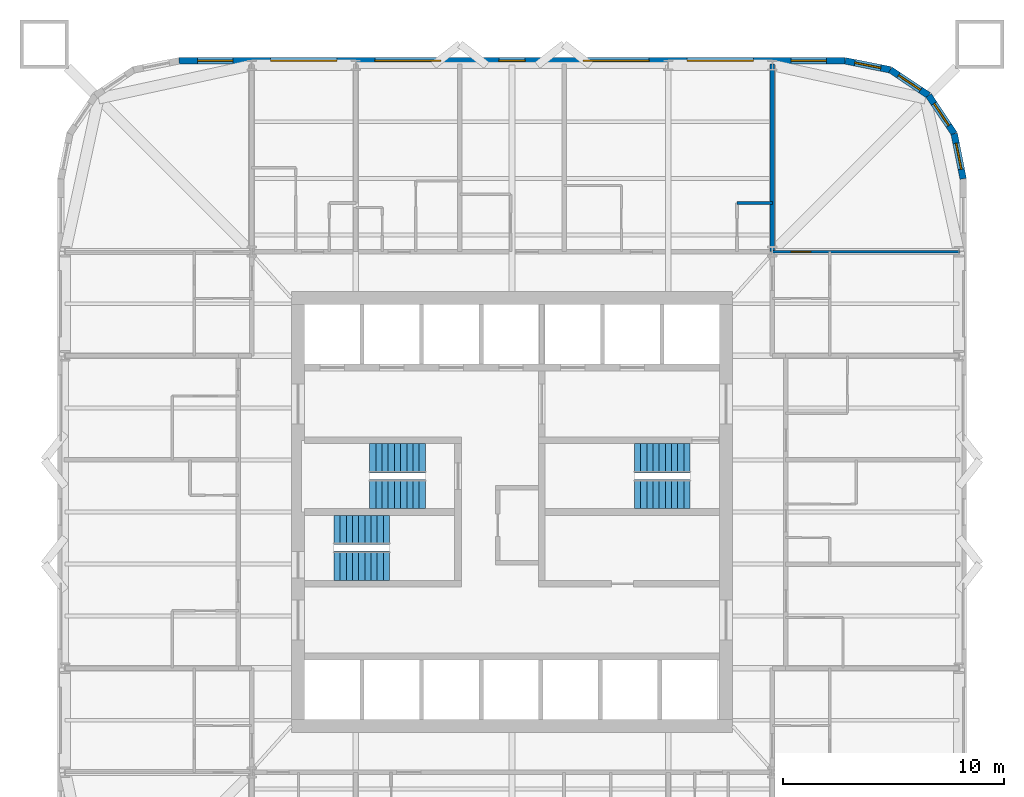
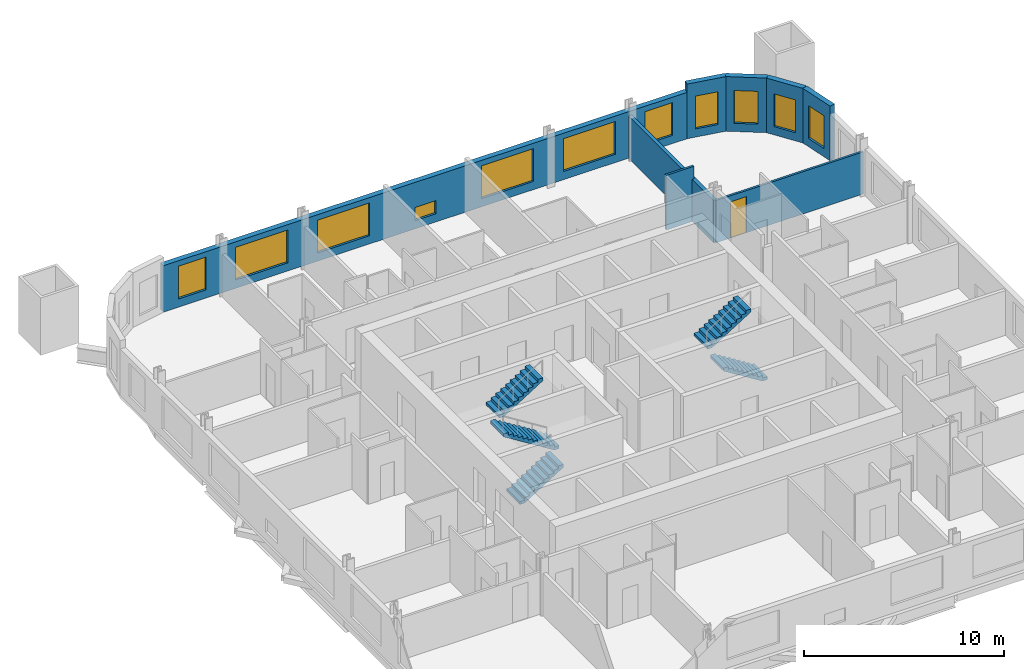
# One storey, part 8 of 9: 11 windows, 8 walls, 6 stair flights, 1 door, 12 openings, 3 elements without a shape of their own.
"""IFC4 building model written with IfcOpenShell, lengths in metres."""

from ifc_helpers import new_model, si_unit, direction, frame, frame_2d, origin, place, context, subcontext, project, spatial, polyline, rectangle, outline, extrude, material, layer, layer_set, type_object, element, fill, aggregate, save


model = new_model("IFC4")

# Units and contexts
model_context = context("Model", 3, precision=1e-05, world=origin(), true_north=direction((0.0, 1.0)))
body_context = subcontext(model_context, "Body", "Model", "MODEL_VIEW")
ifc_project = project(units=[si_unit("LENGTHUNIT", "METRE"), si_unit("AREAUNIT", "SQUARE_METRE"), si_unit("VOLUMEUNIT", "CUBIC_METRE"), si_unit("PLANEANGLEUNIT", "RADIAN"), si_unit("MASSUNIT", "GRAM", prefix="KILO")], contexts=[model_context])

# Site, building, storey
site_placement = place(None, origin())
site = spatial("IfcSite", under=ifc_project, at=site_placement, CompositionType="ELEMENT")
building_placement = place(site_placement, origin())
building = spatial("IfcBuilding", under=site, at=building_placement, Name="Turquesa Mirador Hotel Tower", CompositionType="ELEMENT")
storey_placement = place(building_placement, frame((0.0, 0.0, 121.39990234375)))
storey = spatial("IfcBuildingStorey", under=building, at=storey_placement, Name="L32", CompositionType="ELEMENT", Elevation=121.39990234375)

# Wall, opening, window
ifc_material_1 = material(Name="Limestone cladding on concrete block", Category="masonry")
ifc_layer_1 = layer(ifc_material_1, 0.300048828125)
ifc_layer_set_1 = layer_set([ifc_layer_1], Name="FACADE WALL 300 STONE SCREEN")
wall_type_1 = type_object("IfcWallType", Name="FACADE WALL 300 STONE SCREEN", PredefinedType="SOLIDWALL", material=ifc_layer_set_1)
wall_1_placement = place(storey_placement, frame((75.449951171875, 60.10009765625, 0.0), z_axis=(0.0, 0.0, 1.0), x_axis=(-0.195081421501, 0.980787050784, 0.0)))
wall_1 = element("IfcWall", 1, at=wall_1_placement, inside=storey, type_object=wall_type_1, Name="Facade wall L32 05", PredefinedType="SOLIDWALL", context=body_context, shape_type="SweptSolid", body=[
    extrude(rectangle(XDim=2.08740234375, YDim=0.300048828125, at=frame_2d((1.043701171875, 0.0))), origin(), (0.0, 0.0, 1.0), 3.330078125),
])
opening_1_placement = place(wall_1_placement, frame((0.443603515625, 0.0, 0.5)))
opening_1 = element("IfcOpeningElement", 2, at=opening_1_placement, cuts=wall_1, Name="Opening WN4", PredefinedType="OPENING", context=body_context, shape_type="SweptSolid", body=[
    extrude(rectangle(XDim=1.199951171875, YDim=2.0, at=frame_2d((0.60009765625, 1.0))), frame((0.0, 0.159912109375, 0.0), z_axis=(0.0, -1.0, 0.0), x_axis=(1.0, 0.0, 0.0)), (0.0, 0.0, 1.0), 0.320068359375),
])
ifc_material_2 = material(Name="Ceramic-fritted laminated glass", Category="glass")
window_type_1 = type_object("IfcWindowType", Name="FRITTED CORNER WINDOW 1200X2000", PartitioningType="DOUBLE_PANEL_HORIZONTAL", PredefinedType="WINDOW", material=ifc_material_2)
window_1_placement = place(opening_1_placement, origin())
window_1 = element("IfcWindow", 3, at=window_1_placement, inside=storey, type_object=window_type_1, Name="Window L32", OverallHeight=2.0, OverallWidth=1.199951171875, PartitioningType="SINGLE_PANEL", PredefinedType="WINDOW", context=body_context, shape_type="SweptSolid", body=[
    extrude(rectangle(XDim=1.199951171875, YDim=2.0, at=frame_2d((0.60009765625, 1.0))), frame((0.0, 0.030029296875, 0.0), z_axis=(0.0, -1.0, 0.0), x_axis=(1.0, 0.0, 0.0)), (0.0, 0.0, 1.0), 0.06005859375),
])
fill(opening_1, window_1)

wall_2_placement = place(storey_placement, frame((75.042724609375, 62.1474609375, 0.0), z_axis=(0.0, 0.0, 1.0), x_axis=(-0.555563607591, 0.831474039234, 0.0)))
wall_2 = element("IfcWall", 4, at=wall_2_placement, inside=storey, type_object=wall_type_1, Name="Facade wall L32 06", PredefinedType="SOLIDWALL", context=body_context, shape_type="SweptSolid", body=[
    extrude(rectangle(XDim=2.08740234375, YDim=0.300048828125, at=frame_2d((1.043701171875, 0.0))), origin(), (0.0, 0.0, 1.0), 3.330078125),
])
opening_2_placement = place(wall_2_placement, frame((0.443603515625, 0.0, 0.5)))
opening_2 = element("IfcOpeningElement", 5, at=opening_2_placement, cuts=wall_2, Name="Opening WN4", PredefinedType="OPENING", context=body_context, shape_type="SweptSolid", body=[
    extrude(rectangle(XDim=1.199951171875, YDim=2.0, at=frame_2d((0.60009765625, 1.0))), frame((0.0, 0.159912109375, 0.0), z_axis=(0.0, -1.0, 0.0), x_axis=(1.0, 0.0, 0.0)), (0.0, 0.0, 1.0), 0.320068359375),
])
window_2_placement = place(opening_2_placement, origin())
window_2 = element("IfcWindow", 6, at=window_2_placement, inside=storey, type_object=window_type_1, Name="Window L32", OverallHeight=2.0, OverallWidth=1.199951171875, PartitioningType="SINGLE_PANEL", PredefinedType="WINDOW", context=body_context, shape_type="SweptSolid", body=[
    extrude(rectangle(XDim=1.199951171875, YDim=2.0, at=frame_2d((0.60009765625, 1.0))), frame((0.0, 0.030029296875, 0.0), z_axis=(0.0, -1.0, 0.0), x_axis=(1.0, 0.0, 0.0)), (0.0, 0.0, 1.0), 0.06005859375),
])
fill(opening_2, window_2)

wall_3_placement = place(storey_placement, frame((73.883056640625, 63.883056640625, 0.0), z_axis=(0.0, 0.0, 1.0), x_axis=(-0.831474039234, 0.555563607591, 0.0)))
wall_3 = element("IfcWall", 7, at=wall_3_placement, inside=storey, type_object=wall_type_1, Name="Facade wall L32 07", PredefinedType="SOLIDWALL", context=body_context, shape_type="SweptSolid", body=[
    extrude(rectangle(XDim=2.08740234375, YDim=0.300048828125, at=frame_2d((1.043701171875, 0.0))), origin(), (0.0, 0.0, 1.0), 3.330078125),
])
opening_3_placement = place(wall_3_placement, frame((0.443603515625, 0.0, 0.5)))
opening_3 = element("IfcOpeningElement", 8, at=opening_3_placement, cuts=wall_3, Name="Opening WN4", PredefinedType="OPENING", context=body_context, shape_type="SweptSolid", body=[
    extrude(rectangle(XDim=1.199951171875, YDim=2.0, at=frame_2d((0.60009765625, 1.0))), frame((0.0, 0.159912109375, 0.0), z_axis=(0.0, -1.0, 0.0), x_axis=(1.0, 0.0, 0.0)), (0.0, 0.0, 1.0), 0.320068359375),
])
window_3_placement = place(opening_3_placement, origin())
window_3 = element("IfcWindow", 9, at=window_3_placement, inside=storey, type_object=window_type_1, Name="Window L32", OverallHeight=2.0, OverallWidth=1.199951171875, PartitioningType="SINGLE_PANEL", PredefinedType="WINDOW", context=body_context, shape_type="SweptSolid", body=[
    extrude(rectangle(XDim=1.199951171875, YDim=2.0, at=frame_2d((0.60009765625, 1.0))), frame((0.0, 0.030029296875, 0.0), z_axis=(0.0, -1.0, 0.0), x_axis=(1.0, 0.0, 0.0)), (0.0, 0.0, 1.0), 0.06005859375),
])
fill(opening_3, window_3)

wall_4_placement = place(storey_placement, frame((72.1474609375, 65.042724609375, 0.0), z_axis=(0.0, 0.0, 1.0), x_axis=(-0.980787050784, 0.195081421501, 0.0)))
wall_4 = element("IfcWall", 10, at=wall_4_placement, inside=storey, type_object=wall_type_1, Name="Facade wall L32 08", PredefinedType="SOLIDWALL", context=body_context, shape_type="SweptSolid", body=[
    extrude(rectangle(XDim=2.08740234375, YDim=0.300048828125, at=frame_2d((1.043701171875, 0.0))), origin(), (0.0, 0.0, 1.0), 3.330078125),
])
opening_4_placement = place(wall_4_placement, frame((0.443603515625, 0.0, 0.5)))
opening_4 = element("IfcOpeningElement", 11, at=opening_4_placement, cuts=wall_4, Name="Opening WN4", PredefinedType="OPENING", context=body_context, shape_type="SweptSolid", body=[
    extrude(rectangle(XDim=1.199951171875, YDim=2.0, at=frame_2d((0.60009765625, 1.0))), frame((0.0, 0.159912109375, 0.0), z_axis=(0.0, -1.0, 0.0), x_axis=(1.0, 0.0, 0.0)), (0.0, 0.0, 1.0), 0.320068359375),
])
window_4_placement = place(opening_4_placement, origin())
window_4 = element("IfcWindow", 12, at=window_4_placement, inside=storey, type_object=window_type_1, Name="Window L32", OverallHeight=2.0, OverallWidth=1.199951171875, PartitioningType="SINGLE_PANEL", PredefinedType="WINDOW", context=body_context, shape_type="SweptSolid", body=[
    extrude(rectangle(XDim=1.199951171875, YDim=2.0, at=frame_2d((0.60009765625, 1.0))), frame((0.0, 0.030029296875, 0.0), z_axis=(0.0, -1.0, 0.0), x_axis=(1.0, 0.0, 0.0)), (0.0, 0.0, 1.0), 0.06005859375),
])
fill(opening_4, window_4)

# Wall, openings, windows
wall_5_placement = place(storey_placement, frame((70.10009765625, 65.449951171875, 0.0), z_axis=(0.0, 0.0, 1.0), x_axis=(-1.0, 0.0, 0.0)))
wall_5 = element("IfcWall", 13, at=wall_5_placement, inside=storey, type_object=wall_type_1, Name="Facade wall L32 09", PredefinedType="SOLIDWALL", context=body_context, shape_type="SweptSolid", body=[
    extrude(rectangle(XDim=30.2001953125, YDim=0.300048828125, at=frame_2d((15.10009765625, 0.0))), origin(), (0.0, 0.0, 1.0), 2.830078125),
])
opening_5_placement = place(wall_5_placement, frame((0.85009765625, 0.0, 0.5)))
opening_5 = element("IfcOpeningElement", 14, at=opening_5_placement, cuts=wall_5, Name="Opening WN3", PredefinedType="OPENING", context=body_context, shape_type="SweptSolid", body=[
    extrude(rectangle(XDim=1.60009765625, YDim=2.0, at=frame_2d((0.800048828125, 1.0))), frame((0.0, 0.159912109375, 0.0), z_axis=(0.0, -1.0, 0.0), x_axis=(1.0, 0.0, 0.0)), (0.0, 0.0, 1.0), 0.320068359375),
])
opening_6_placement = place(wall_5_placement, frame((4.159912109375, 0.0, 0.5)))
opening_6 = element("IfcOpeningElement", 15, at=opening_6_placement, cuts=wall_5, Name="Opening WN1", PredefinedType="OPENING", context=body_context, shape_type="SweptSolid", body=[
    extrude(rectangle(XDim=3.0, YDim=2.0, at=frame_2d((1.5, 1.0))), frame((0.0, 0.159912109375, 0.0), z_axis=(0.0, -1.0, 0.0), x_axis=(1.0, 0.0, 0.0)), (0.0, 0.0, 1.0), 0.320068359375),
])
opening_7_placement = place(wall_5_placement, frame((8.8798828125, 0.0, 0.5)))
opening_7 = element("IfcOpeningElement", 16, at=opening_7_placement, cuts=wall_5, Name="Opening WN1", PredefinedType="OPENING", context=body_context, shape_type="SweptSolid", body=[
    extrude(rectangle(XDim=3.0, YDim=2.0, at=frame_2d((1.5, 1.0))), frame((0.0, 0.159912109375, 0.0), z_axis=(0.0, -1.0, 0.0), x_axis=(1.0, 0.0, 0.0)), (0.0, 0.0, 1.0), 0.320068359375),
])
opening_8_placement = place(wall_5_placement, frame((14.5, 0.0, 0.5)))
opening_8 = element("IfcOpeningElement", 17, at=opening_8_placement, cuts=wall_5, Name="Opening WN39", PredefinedType="OPENING", context=body_context, shape_type="SweptSolid", body=[
    extrude(rectangle(XDim=1.199951171875, YDim=0.800048828125, at=frame_2d((0.60009765625, 0.39990234375))), frame((0.0, 0.159912109375, 0.0), z_axis=(0.0, -1.0, 0.0), x_axis=(1.0, 0.0, 0.0)), (0.0, 0.0, 1.0), 0.320068359375),
])
opening_9_placement = place(wall_5_placement, frame((18.320068359375, 0.0, 0.5)))
opening_9 = element("IfcOpeningElement", 18, at=opening_9_placement, cuts=wall_5, Name="Opening WN1", PredefinedType="OPENING", context=body_context, shape_type="SweptSolid", body=[
    extrude(rectangle(XDim=3.0, YDim=2.0, at=frame_2d((1.5, 1.0))), frame((0.0, 0.159912109375, 0.0), z_axis=(0.0, -1.0, 0.0), x_axis=(1.0, 0.0, 0.0)), (0.0, 0.0, 1.0), 0.320068359375),
])
opening_10_placement = place(wall_5_placement, frame((23.0400390625, 0.0, 0.5)))
opening_10 = element("IfcOpeningElement", 19, at=opening_10_placement, cuts=wall_5, Name="Opening WN1", PredefinedType="OPENING", context=body_context, shape_type="SweptSolid", body=[
    extrude(rectangle(XDim=3.0, YDim=2.0, at=frame_2d((1.5, 1.0))), frame((0.0, 0.159912109375, 0.0), z_axis=(0.0, -1.0, 0.0), x_axis=(1.0, 0.0, 0.0)), (0.0, 0.0, 1.0), 0.320068359375),
])
opening_11_placement = place(wall_5_placement, frame((27.75, 0.0, 0.5)))
opening_11 = element("IfcOpeningElement", 20, at=opening_11_placement, cuts=wall_5, Name="Opening WN3", PredefinedType="OPENING", context=body_context, shape_type="SweptSolid", body=[
    extrude(rectangle(XDim=1.60009765625, YDim=2.0, at=frame_2d((0.800048828125, 1.0))), frame((0.0, 0.159912109375, 0.0), z_axis=(0.0, -1.0, 0.0), x_axis=(1.0, 0.0, 0.0)), (0.0, 0.0, 1.0), 0.320068359375),
])
ifc_material_3 = material(Name="Ceramic-fritted laminated glass", Category="glass")
window_type_2 = type_object("IfcWindowType", Name="FRITTED WINDOW 1200X800", PartitioningType="DOUBLE_PANEL_HORIZONTAL", PredefinedType="WINDOW", material=ifc_material_3)
window_5_placement = place(opening_8_placement, origin())
window_5 = element("IfcWindow", 21, at=window_5_placement, inside=storey, type_object=window_type_2, Name="Window L32", OverallHeight=0.800048828125, OverallWidth=1.199951171875, PartitioningType="SINGLE_PANEL", PredefinedType="WINDOW", context=body_context, shape_type="SweptSolid", body=[
    extrude(rectangle(XDim=1.199951171875, YDim=0.800048828125, at=frame_2d((0.60009765625, 0.39990234375))), frame((0.0, 0.030029296875, 0.0), z_axis=(0.0, -1.0, 0.0), x_axis=(1.0, 0.0, 0.0)), (0.0, 0.0, 1.0), 0.06005859375),
])
fill(opening_8, window_5)
ifc_material_4 = material(Name="Ceramic-fritted laminated glass", Category="glass")
window_type_3 = type_object("IfcWindowType", Name="FRITTED WINDOW 1600X2000", PartitioningType="DOUBLE_PANEL_HORIZONTAL", PredefinedType="WINDOW", material=ifc_material_4)
window_6_placement = place(opening_5_placement, origin())
window_6 = element("IfcWindow", 22, at=window_6_placement, inside=storey, type_object=window_type_3, Name="Window L32", OverallHeight=2.0, OverallWidth=1.60009765625, PartitioningType="SINGLE_PANEL", PredefinedType="WINDOW", context=body_context, shape_type="SweptSolid", body=[
    extrude(rectangle(XDim=1.60009765625, YDim=2.0, at=frame_2d((0.800048828125, 1.0))), frame((0.0, 0.030029296875, 0.0), z_axis=(0.0, -1.0, 0.0), x_axis=(1.0, 0.0, 0.0)), (0.0, 0.0, 1.0), 0.06005859375),
])
fill(opening_5, window_6)
window_7_placement = place(opening_11_placement, origin())
window_7 = element("IfcWindow", 23, at=window_7_placement, inside=storey, type_object=window_type_3, Name="Window L32", OverallHeight=2.0, OverallWidth=1.60009765625, PartitioningType="SINGLE_PANEL", PredefinedType="WINDOW", context=body_context, shape_type="SweptSolid", body=[
    extrude(rectangle(XDim=1.60009765625, YDim=2.0, at=frame_2d((0.800048828125, 1.0))), frame((0.0, 0.030029296875, 0.0), z_axis=(0.0, -1.0, 0.0), x_axis=(1.0, 0.0, 0.0)), (0.0, 0.0, 1.0), 0.06005859375),
])
fill(opening_11, window_7)
ifc_material_5 = material(Name="Ceramic-fritted laminated glass", Category="glass")
window_type_4 = type_object("IfcWindowType", Name="FRITTED WINDOW 3000X2000", PartitioningType="DOUBLE_PANEL_HORIZONTAL", PredefinedType="WINDOW", material=ifc_material_5)
window_8_placement = place(opening_6_placement, origin())
window_8 = element("IfcWindow", 24, at=window_8_placement, inside=storey, type_object=window_type_4, Name="Window L32", OverallHeight=2.0, OverallWidth=3.0, PartitioningType="SINGLE_PANEL", PredefinedType="WINDOW", context=body_context, shape_type="SweptSolid", body=[
    extrude(rectangle(XDim=3.0, YDim=2.0, at=frame_2d((1.5, 1.0))), frame((0.0, 0.030029296875, 0.0), z_axis=(0.0, -1.0, 0.0), x_axis=(1.0, 0.0, 0.0)), (0.0, 0.0, 1.0), 0.06005859375),
])
fill(opening_6, window_8)
window_9_placement = place(opening_7_placement, origin())
window_9 = element("IfcWindow", 25, at=window_9_placement, inside=storey, type_object=window_type_4, Name="Window L32", OverallHeight=2.0, OverallWidth=3.0, PartitioningType="SINGLE_PANEL", PredefinedType="WINDOW", context=body_context, shape_type="SweptSolid", body=[
    extrude(rectangle(XDim=3.0, YDim=2.0, at=frame_2d((1.5, 1.0))), frame((0.0, 0.030029296875, 0.0), z_axis=(0.0, -1.0, 0.0), x_axis=(1.0, 0.0, 0.0)), (0.0, 0.0, 1.0), 0.06005859375),
])
fill(opening_7, window_9)
window_10_placement = place(opening_9_placement, origin())
window_10 = element("IfcWindow", 26, at=window_10_placement, inside=storey, type_object=window_type_4, Name="Window L32", OverallHeight=2.0, OverallWidth=3.0, PartitioningType="SINGLE_PANEL", PredefinedType="WINDOW", context=body_context, shape_type="SweptSolid", body=[
    extrude(rectangle(XDim=3.0, YDim=2.0, at=frame_2d((1.5, 1.0))), frame((0.0, 0.030029296875, 0.0), z_axis=(0.0, -1.0, 0.0), x_axis=(1.0, 0.0, 0.0)), (0.0, 0.0, 1.0), 0.06005859375),
])
fill(opening_9, window_10)
window_11_placement = place(opening_10_placement, origin())
window_11 = element("IfcWindow", 27, at=window_11_placement, inside=storey, type_object=window_type_4, Name="Window L32", OverallHeight=2.0, OverallWidth=3.0, PartitioningType="SINGLE_PANEL", PredefinedType="WINDOW", context=body_context, shape_type="SweptSolid", body=[
    extrude(rectangle(XDim=3.0, YDim=2.0, at=frame_2d((1.5, 1.0))), frame((0.0, 0.030029296875, 0.0), z_axis=(0.0, -1.0, 0.0), x_axis=(1.0, 0.0, 0.0)), (0.0, 0.0, 1.0), 0.06005859375),
])
fill(opening_10, window_11)

# Wall
ifc_material_6 = material(Name="Fire-rated gypsum board on steel studs", Category="steel")
ifc_layer_2 = layer(ifc_material_6, 0.199951171875)
ifc_layer_set_2 = layer_set([ifc_layer_2], Name="PARTY WALL 200")
wall_type_2 = type_object("IfcWallType", Name="PARTY WALL 200", PredefinedType="PARTITIONING", material=ifc_layer_set_2)
wall_6_placement = place(storey_placement, frame((66.800048828125, 56.800048828125, 0.0), z_axis=(0.0, 0.0, 1.0), x_axis=(0.0, 1.0, 0.0)))
element("IfcWall", 28, at=wall_6_placement, inside=storey, type_object=wall_type_2, Name="Partition L32 068", PredefinedType="PARTITIONING", context=body_context, shape_type="SweptSolid", body=[
    extrude(rectangle(XDim=8.5, YDim=0.199951171875, at=frame_2d((4.25, 0.0))), origin(), (0.0, 0.0, 1.0), 2.5732421875),
])

# Wall, opening, door
ifc_material_7 = material(Name="Acoustic gypsum board on steel studs", Category="steel")
ifc_layer_3 = layer(ifc_material_7, 0.125)
ifc_layer_set_3 = layer_set([ifc_layer_3], Name="SUITE PARTITION 125")
wall_type_3 = type_object("IfcWallType", Name="SUITE PARTITION 125", PredefinedType="PARTITIONING", material=ifc_layer_set_3)
wall_7_placement = place(storey_placement, frame((66.800048828125, 56.800048828125, 0.0), z_axis=(0.0, 0.0, 1.0), x_axis=(1.0, 0.0, 0.0)))
wall_7 = element("IfcWall", 29, at=wall_7_placement, inside=storey, type_object=wall_type_3, Name="Partition L32 023", PredefinedType="PARTITIONING", context=body_context, shape_type="SweptSolid", body=[
    extrude(rectangle(XDim=8.5, YDim=0.125, at=frame_2d((4.25, 0.0))), origin(), (0.0, 0.0, 1.0), 2.5732421875),
])
opening_12_placement = place(wall_7_placement, frame((0.85009765625, 0.0, 0.0)))
opening_12 = element("IfcOpeningElement", 30, at=opening_12_placement, cuts=wall_7, Name="Opening D17", PredefinedType="OPENING", context=body_context, shape_type="SweptSolid", body=[
    extrude(rectangle(XDim=0.89990234375, YDim=2.199951171875, at=frame_2d((0.449951171875, 1.10009765625))), frame((0.0, 0.072509765625, 0.0), z_axis=(0.0, -1.0, 0.0), x_axis=(1.0, 0.0, 0.0)), (0.0, 0.0, 1.0), 0.14501953125),
])
ifc_material_8 = material(Name="Timber veneered door", Category="wood")
door_type = type_object("IfcDoorType", Name="DOOR 900X2200 SUITE INTERNAL", OperationType="SINGLE_SWING_LEFT", PredefinedType="DOOR", material=ifc_material_8)
door_placement = place(opening_12_placement, origin())
door = element("IfcDoor", 31, at=door_placement, inside=storey, type_object=door_type, Name="Door 3213", OperationType="SINGLE_SWING_LEFT", OverallHeight=2.199951171875, OverallWidth=0.89990234375, PredefinedType="DOOR", context=body_context, shape_type="SweptSolid", body=[
    extrude(rectangle(XDim=0.89990234375, YDim=2.199951171875, at=frame_2d((0.449951171875, 1.10009765625))), frame((0.0, 0.02490234375, 0.0), z_axis=(0.0, -1.0, 0.0), x_axis=(1.0, 0.0, 0.0)), (0.0, 0.0, 1.0), 0.050048828125),
])
fill(opening_12, door)

# Wall
wall_8_placement = place(storey_placement, frame((65.199951171875, 59.0, 0.0), z_axis=(0.0, 0.0, 1.0), x_axis=(1.0, 0.0, 0.0)))
element("IfcWall", 32, at=wall_8_placement, inside=storey, type_object=wall_type_3, Name="Partition L32 026", PredefinedType="PARTITIONING", context=body_context, shape_type="SweptSolid", body=[
    extrude(rectangle(XDim=1.60009765625, YDim=0.125, at=frame_2d((0.800048828125, 0.0))), origin(), (0.0, 0.0, 1.0), 3.330078125),
])

# Stair, stair flights
ifc_material_9 = material(Name="Concrete C35/45", Category="concrete")
stair_type = type_object("IfcStairType", Name="ESCAPE STAIR CORE", PredefinedType="HALF_TURN_STAIR", material=ifc_material_9)
stair_1_placement = place(storey_placement, origin())
stair_1 = element("IfcStair", 33, at=stair_1_placement, inside=storey, type_object=stair_type, Name="Stair ST1 L32 to L33", PredefinedType="HALF_TURN_STAIR")
ifc_material_10 = material(Name="Concrete C35/45 precast flight", Category="concrete")
stair_flight_type = type_object("IfcStairFlightType", Name="STAIR FLIGHT 1330", PredefinedType="STRAIGHT", material=ifc_material_10)
stair_flight_1_placement = place(storey_placement, frame((51.070068359375, 45.81494140625, 0.0), z_axis=(0.0, 0.0, 1.0), x_axis=(-1.0, 0.0, 0.0)))
stair_flight_1 = element("IfcStairFlight", 34, at=stair_flight_1_placement, type_object=stair_flight_type, Name="ST1 flight 1", NumberOfRisers=10, NumberOfTreads=9, PredefinedType="STRAIGHT", RiserHeight=0.175, TreadLength=0.28, context=body_context, shape_type="SweptSolid", body=[
    extrude(outline(polyline([(0.0, 0.0), (0.0, 0.175048828125), (0.280029296875, 0.175048828125), (0.280029296875, 0.35009765625), (0.56005859375, 0.35009765625), (0.56005859375, 0.52490234375), (0.840087890625, 0.52490234375), (0.840087890625, 0.699951171875), (1.1201171875, 0.699951171875), (1.1201171875, 0.875), (1.39990234375, 0.875), (1.39990234375, 1.050048828125), (1.679931640625, 1.050048828125), (1.679931640625, 1.22509765625), (1.9599609375, 1.22509765625), (1.9599609375, 1.39990234375), (2.239990234375, 1.39990234375), (2.239990234375, 1.574951171875), (2.52001953125, 1.574951171875), (2.52001953125, 1.75), (2.52001953125, 1.398193359375), (0.28271484375, 0.0), (0.0, 0.0)])), frame((0.0, 0.6650390625, 0.0), z_axis=(0.0, -1.0, 0.0), x_axis=(1.0, 0.0, 0.0)), (0.0, 0.0, 1.0), 1.330078125),
])
stair_flight_2_placement = place(storey_placement, frame((48.550048828125, 47.43505859375, 1.75), z_axis=(0.0, 0.0, 1.0), x_axis=(1.0, 0.0, 0.0)))
stair_flight_2 = element("IfcStairFlight", 35, at=stair_flight_2_placement, type_object=stair_flight_type, Name="ST1 flight 2", NumberOfRisers=10, NumberOfTreads=9, PredefinedType="STRAIGHT", RiserHeight=0.175, TreadLength=0.28, context=body_context, shape_type="SweptSolid", body=[
    extrude(outline(polyline([(0.0, 0.0), (0.0, 0.175048828125), (0.280029296875, 0.175048828125), (0.280029296875, 0.35009765625), (0.56005859375, 0.35009765625), (0.56005859375, 0.52490234375), (0.840087890625, 0.52490234375), (0.840087890625, 0.699951171875), (1.1201171875, 0.699951171875), (1.1201171875, 0.875), (1.39990234375, 0.875), (1.39990234375, 1.050048828125), (1.679931640625, 1.050048828125), (1.679931640625, 1.22509765625), (1.9599609375, 1.22509765625), (1.9599609375, 1.39990234375), (2.239990234375, 1.39990234375), (2.239990234375, 1.574951171875), (2.52001953125, 1.574951171875), (2.52001953125, 1.75), (2.52001953125, 1.398193359375), (0.28271484375, 0.0), (0.0, 0.0)])), frame((0.0, 0.6650390625, 0.0), z_axis=(0.0, -1.0, 0.0), x_axis=(1.0, 0.0, 0.0)), (0.0, 0.0, 1.0), 1.330078125),
])
aggregate(stair_1, [stair_flight_1, stair_flight_2])

stair_2_placement = place(storey_placement, origin())
stair_2 = element("IfcStair", 36, at=stair_2_placement, inside=storey, type_object=stair_type, Name="Stair ST2 L32 to L33", PredefinedType="HALF_TURN_STAIR")
stair_flight_3_placement = place(storey_placement, frame((46.929931640625, 42.56494140625, 0.0), z_axis=(0.0, 0.0, 1.0), x_axis=(1.0, 0.0, 0.0)))
stair_flight_3 = element("IfcStairFlight", 37, at=stair_flight_3_placement, type_object=stair_flight_type, Name="ST2 flight 1", NumberOfRisers=10, NumberOfTreads=9, PredefinedType="STRAIGHT", RiserHeight=0.175, TreadLength=0.28, context=body_context, shape_type="SweptSolid", body=[
    extrude(outline(polyline([(0.0, 0.0), (0.0, 0.175048828125), (0.280029296875, 0.175048828125), (0.280029296875, 0.35009765625), (0.56005859375, 0.35009765625), (0.56005859375, 0.52490234375), (0.840087890625, 0.52490234375), (0.840087890625, 0.699951171875), (1.1201171875, 0.699951171875), (1.1201171875, 0.875), (1.39990234375, 0.875), (1.39990234375, 1.050048828125), (1.679931640625, 1.050048828125), (1.679931640625, 1.22509765625), (1.9599609375, 1.22509765625), (1.9599609375, 1.39990234375), (2.239990234375, 1.39990234375), (2.239990234375, 1.574951171875), (2.52001953125, 1.574951171875), (2.52001953125, 1.75), (2.52001953125, 1.398193359375), (0.28271484375, 0.0), (0.0, 0.0)])), frame((0.0, 0.6650390625, 0.0), z_axis=(0.0, -1.0, 0.0), x_axis=(1.0, 0.0, 0.0)), (0.0, 0.0, 1.0), 1.330078125),
])
stair_flight_4_placement = place(storey_placement, frame((49.449951171875, 44.18505859375, 1.75), z_axis=(0.0, 0.0, 1.0), x_axis=(-1.0, 0.0, 0.0)))
stair_flight_4 = element("IfcStairFlight", 38, at=stair_flight_4_placement, type_object=stair_flight_type, Name="ST2 flight 2", NumberOfRisers=10, NumberOfTreads=9, PredefinedType="STRAIGHT", RiserHeight=0.175, TreadLength=0.28, context=body_context, shape_type="SweptSolid", body=[
    extrude(outline(polyline([(0.0, 0.0), (0.0, 0.175048828125), (0.280029296875, 0.175048828125), (0.280029296875, 0.35009765625), (0.56005859375, 0.35009765625), (0.56005859375, 0.52490234375), (0.840087890625, 0.52490234375), (0.840087890625, 0.699951171875), (1.1201171875, 0.699951171875), (1.1201171875, 0.875), (1.39990234375, 0.875), (1.39990234375, 1.050048828125), (1.679931640625, 1.050048828125), (1.679931640625, 1.22509765625), (1.9599609375, 1.22509765625), (1.9599609375, 1.39990234375), (2.239990234375, 1.39990234375), (2.239990234375, 1.574951171875), (2.52001953125, 1.574951171875), (2.52001953125, 1.75), (2.52001953125, 1.398193359375), (0.28271484375, 0.0), (0.0, 0.0)])), frame((0.0, 0.6650390625, 0.0), z_axis=(0.0, -1.0, 0.0), x_axis=(1.0, 0.0, 0.0)), (0.0, 0.0, 1.0), 1.330078125),
])
aggregate(stair_2, [stair_flight_3, stair_flight_4])

stair_3_placement = place(storey_placement, origin())
stair_3 = element("IfcStair", 39, at=stair_3_placement, inside=storey, type_object=stair_type, Name="Stair ST3 L32 to L33", PredefinedType="HALF_TURN_STAIR")
stair_flight_5_placement = place(storey_placement, frame((63.070068359375, 45.81494140625, 0.0), z_axis=(0.0, 0.0, 1.0), x_axis=(-1.0, 0.0, 0.0)))
stair_flight_5 = element("IfcStairFlight", 40, at=stair_flight_5_placement, type_object=stair_flight_type, Name="ST3 flight 1", NumberOfRisers=10, NumberOfTreads=9, PredefinedType="STRAIGHT", RiserHeight=0.175, TreadLength=0.28, context=body_context, shape_type="SweptSolid", body=[
    extrude(outline(polyline([(0.0, 0.0), (0.0, 0.175048828125), (0.280029296875, 0.175048828125), (0.280029296875, 0.35009765625), (0.56005859375, 0.35009765625), (0.56005859375, 0.52490234375), (0.840087890625, 0.52490234375), (0.840087890625, 0.699951171875), (1.1201171875, 0.699951171875), (1.1201171875, 0.875), (1.39990234375, 0.875), (1.39990234375, 1.050048828125), (1.679931640625, 1.050048828125), (1.679931640625, 1.22509765625), (1.9599609375, 1.22509765625), (1.9599609375, 1.39990234375), (2.239990234375, 1.39990234375), (2.239990234375, 1.574951171875), (2.52001953125, 1.574951171875), (2.52001953125, 1.75), (2.52001953125, 1.398193359375), (0.28271484375, 0.0), (0.0, 0.0)])), frame((0.0, 0.6650390625, 0.0), z_axis=(0.0, -1.0, 0.0), x_axis=(1.0, 0.0, 0.0)), (0.0, 0.0, 1.0), 1.330078125),
])
stair_flight_6_placement = place(storey_placement, frame((60.550048828125, 47.43505859375, 1.75), z_axis=(0.0, 0.0, 1.0), x_axis=(1.0, 0.0, 0.0)))
stair_flight_6 = element("IfcStairFlight", 41, at=stair_flight_6_placement, type_object=stair_flight_type, Name="ST3 flight 2", NumberOfRisers=10, NumberOfTreads=9, PredefinedType="STRAIGHT", RiserHeight=0.175, TreadLength=0.28, context=body_context, shape_type="SweptSolid", body=[
    extrude(outline(polyline([(0.0, 0.0), (0.0, 0.175048828125), (0.280029296875, 0.175048828125), (0.280029296875, 0.35009765625), (0.56005859375, 0.35009765625), (0.56005859375, 0.52490234375), (0.840087890625, 0.52490234375), (0.840087890625, 0.699951171875), (1.1201171875, 0.699951171875), (1.1201171875, 0.875), (1.39990234375, 0.875), (1.39990234375, 1.050048828125), (1.679931640625, 1.050048828125), (1.679931640625, 1.22509765625), (1.9599609375, 1.22509765625), (1.9599609375, 1.39990234375), (2.239990234375, 1.39990234375), (2.239990234375, 1.574951171875), (2.52001953125, 1.574951171875), (2.52001953125, 1.75), (2.52001953125, 1.398193359375), (0.28271484375, 0.0), (0.0, 0.0)])), frame((0.0, 0.6650390625, 0.0), z_axis=(0.0, -1.0, 0.0), x_axis=(1.0, 0.0, 0.0)), (0.0, 0.0, 1.0), 1.330078125),
])
aggregate(stair_3, [stair_flight_5, stair_flight_6])

save(model, "model.ifc")
